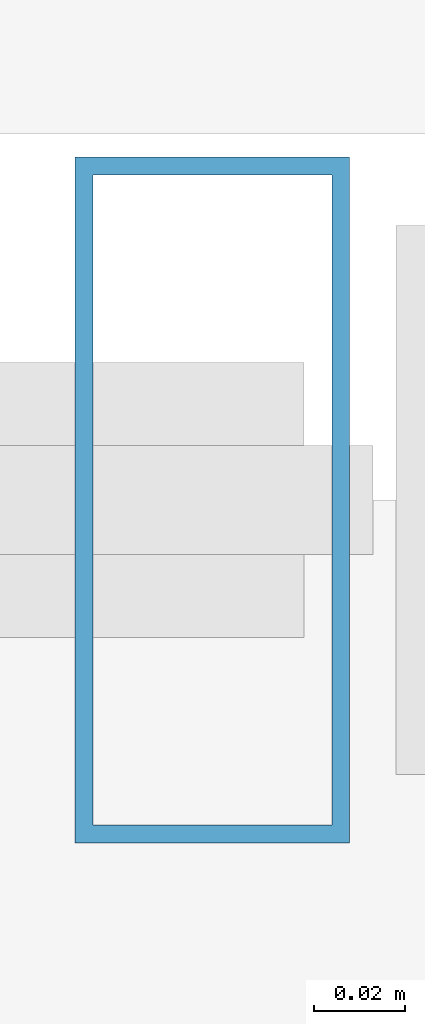
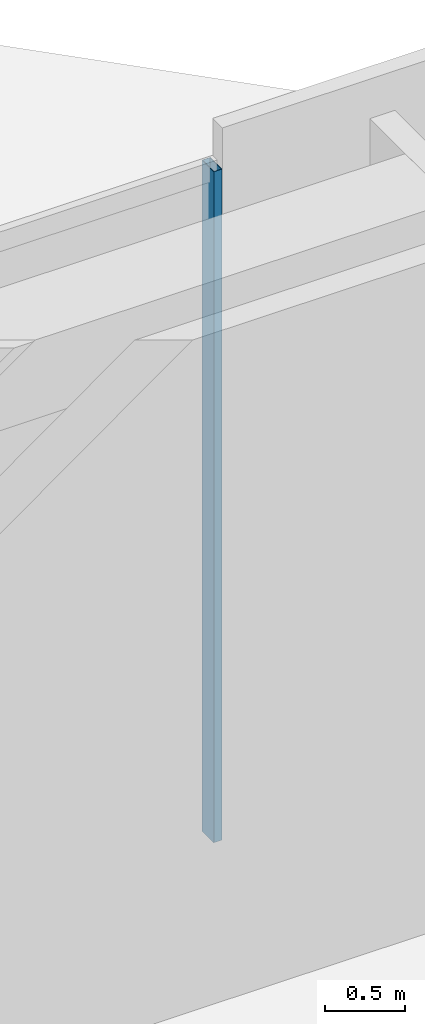
# One storey, part 7 of 11: 1 member, 1 element without a shape of its own.
"""IFC4 building model written with IfcOpenShell, lengths in metres."""

from ifc_helpers import new_model, si_unit, direction, frame, origin, origin_2d, place, context, subcontext, project, spatial, hollow_rectangle, extrude, material, material_profile, profile_set, type_object, element, aggregate, save


model = new_model("IFC4")

# Units and contexts
model_context = context("Model", 3, precision=1e-05, world=origin(), true_north=direction((0.0, 1.0)))
body_context = subcontext(model_context, "Body", "Model", "MODEL_VIEW")
ifc_project = project(units=[si_unit("LENGTHUNIT", "METRE"), si_unit("AREAUNIT", "SQUARE_METRE"), si_unit("VOLUMEUNIT", "CUBIC_METRE"), si_unit("PLANEANGLEUNIT", "RADIAN"), si_unit("MASSUNIT", "GRAM", prefix="KILO")], contexts=[model_context])

# Site, building, storey
site_placement = place(None, origin())
site = spatial("IfcSite", under=ifc_project, at=site_placement, CompositionType="ELEMENT")
building_placement = place(site_placement, origin())
building = spatial("IfcBuilding", under=site, at=building_placement, Name="Ventersveld Concourse Tower", CompositionType="ELEMENT")
storey_placement = place(building_placement, frame((0.0, 0.0, 366.64990234375)))
storey = spatial("IfcBuildingStorey", under=building, at=storey_placement, Name="L90", CompositionType="ELEMENT", Elevation=366.64990234375)

# Curtain wall, member
ifc_material = material(Name="Anodised aluminium EN AW-6063-T6", Category="aluminium")
curtain_wall_type = type_object("IfcCurtainWallType", Name="CW-CRN-6", PredefinedType="NOTDEFINED", material=ifc_material)
curtain_wall_placement = place(storey_placement, origin())
curtain_wall = element("IfcCurtainWall", 1, at=curtain_wall_placement, inside=storey, type_object=curtain_wall_type, Name="L90 L90 Crown North Glazed Curtain Wall", PredefinedType="NOTDEFINED")
ifc_material_profile = material_profile(ifc_material, hollow_rectangle(XDim=0.06005859375, YDim=0.14990234375, WallThickness=0.00390625, at=origin_2d()), Name="ALU 150x60x4")
ifc_profile_set = profile_set([ifc_material_profile], Name="Anodised aluminium EN AW-6063-T6")
member_type = type_object("IfcMemberType", Name="CWM-150x65", PredefinedType="MULLION", material=ifc_profile_set)
member_placement = place(storey_placement, frame((41.909912109375, 22.0, 0.0), z_axis=(0.0, 0.0, 1.0), x_axis=(1.0, 0.0, 0.0)))
member = element("IfcMember", 2, at=member_placement, type_object=member_type, Name="CW-L90-N Mullion 01", PredefinedType="MULLION", context=body_context, shape_type="SweptSolid", body=[
    extrude(hollow_rectangle(XDim=0.06005859375, YDim=0.14990234375, WallThickness=0.00390625, at=origin_2d()), origin(), (0.0, 0.0, 1.0), 5.10009765625),
])
aggregate(curtain_wall, [member])

save(model, "model.ifc")
